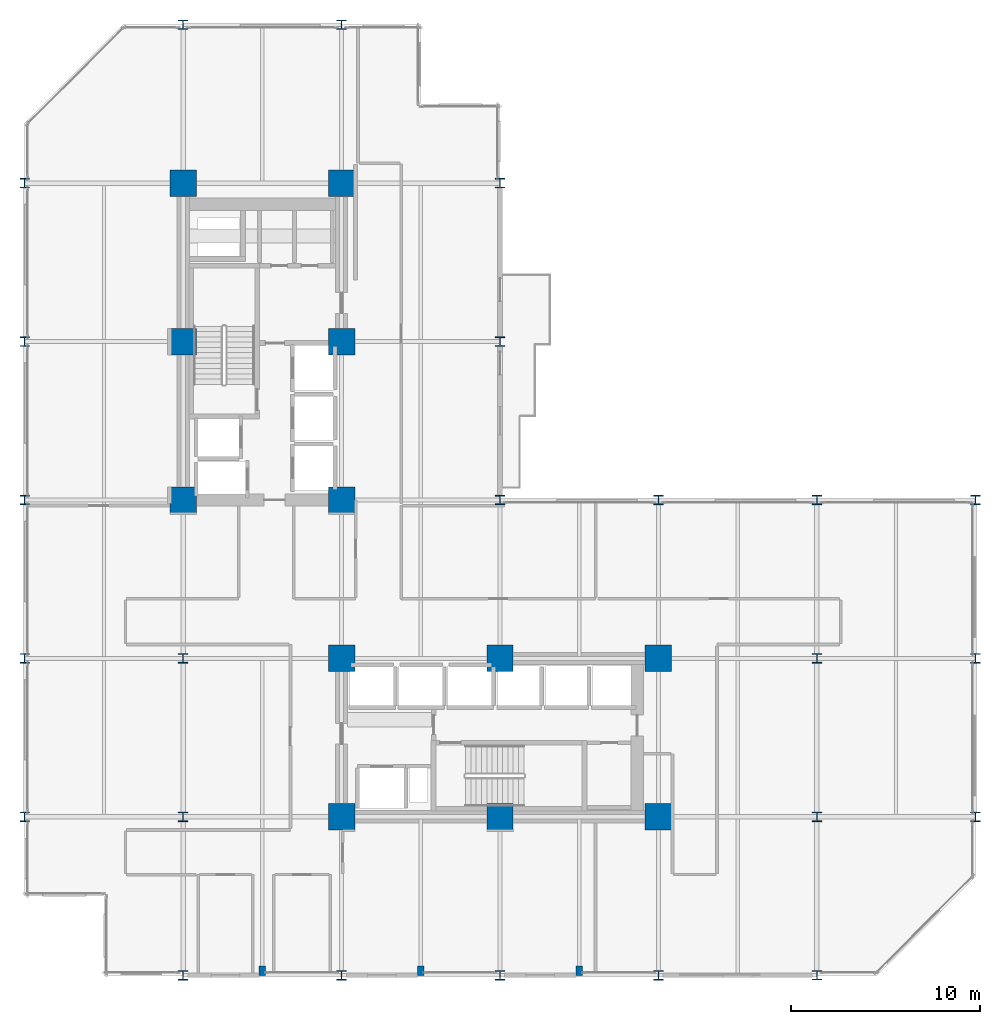
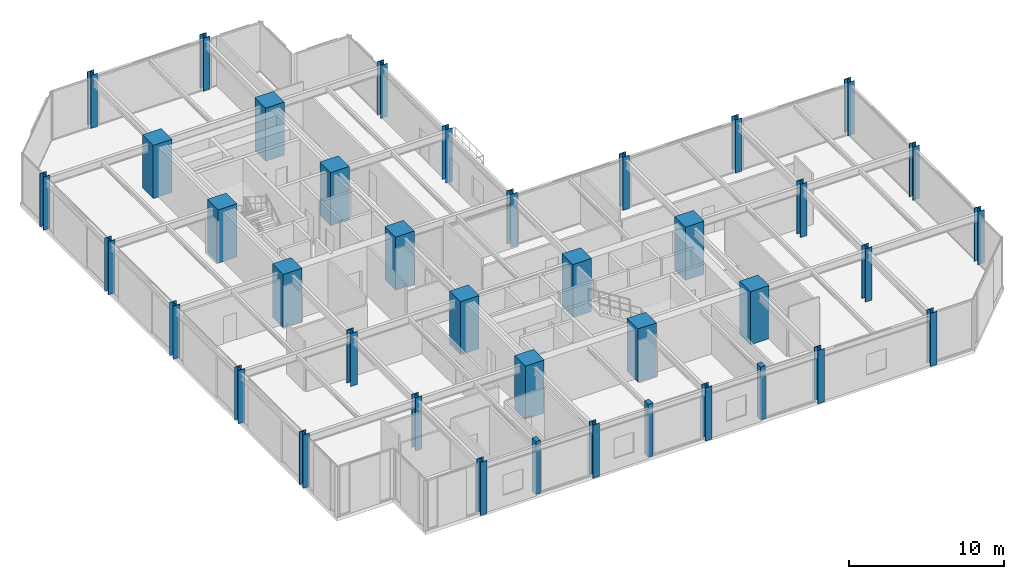
# One storey, part 1 of 24: 39 columns.
"""IFC4 building model written with IfcOpenShell, lengths in metres."""

from ifc_helpers import new_model, si_unit, direction, frame, origin, origin_2d, place, context, subcontext, project, spatial, rectangle, i_section, extrude, material, material_profile, profile_set, type_object, element, save


model = new_model("IFC4")

# Units and contexts
model_context = context("Model", 3, precision=1e-05, world=origin(), true_north=direction((0.0, 1.0)))
body_context = subcontext(model_context, "Body", "Model", "MODEL_VIEW")
ifc_project = project(units=[si_unit("LENGTHUNIT", "METRE"), si_unit("AREAUNIT", "SQUARE_METRE"), si_unit("VOLUMEUNIT", "CUBIC_METRE"), si_unit("PLANEANGLEUNIT", "RADIAN"), si_unit("MASSUNIT", "GRAM", prefix="KILO")], contexts=[model_context])

# Site, building, storey
site_placement = place(None, origin())
site = spatial("IfcSite", under=ifc_project, at=site_placement, CompositionType="ELEMENT")
building_placement = place(site_placement, origin())
building = spatial("IfcBuilding", under=site, at=building_placement, Name="Nerrivon Quay Data Exchange", CompositionType="ELEMENT")
storey_placement = place(building_placement, frame((0.0, 0.0, 45.800048828125)))
storey = spatial("IfcBuildingStorey", under=building, at=storey_placement, Name="L10", CompositionType="ELEMENT", Elevation=45.800048828125)

# Columns
ifc_material_1 = material(Name="Concrete N80 (80 MPa)", Category="concrete")
ifc_material_profile_1 = material_profile(ifc_material_1, rectangle(XDim=1.39990234375, YDim=1.39990234375, at=origin_2d()), Name="RC-COL-1400x1400")
ifc_profile_set_1 = profile_set([ifc_material_profile_1], Name="Concrete N80 (80 MPa)")
column_type_1 = type_object("IfcColumnType", Name="COL-C2-1400", PredefinedType="COLUMN", material=ifc_profile_set_1)
for number, where, z_axis, x_axis, name in (
    (1, (8.39990234375, 25.199951171875, 0.0), (0.0, 0.0, 1.0), (1.0, 0.0, 0.0), "L10 Column (8.4,25.2)"),
    (2, (8.39990234375, 33.60009765625, 0.0), (0.0, 0.0, 1.0), (1.0, 0.0, 0.0), "L10 Column (8.4,33.6)"),
    (3, (8.39990234375, 42.0, 0.0), (0.0, 0.0, 1.0), (1.0, 0.0, 0.0), "L10 Column (8.4,42.0)"),
    (4, (16.800048828125, 8.39990234375, 0.0), (0.0, 0.0, 1.0), (1.0, 0.0, 0.0), "L10 Column (16.8,8.4)"),
    (5, (16.800048828125, 16.800048828125, 0.0), (0.0, 0.0, 1.0), (1.0, 0.0, 0.0), "L10 Column (16.8,16.8)"),
    (6, (16.800048828125, 25.199951171875, 0.0), (0.0, 0.0, 1.0), (1.0, 0.0, 0.0), "L10 Column (16.8,25.2)"),
    (7, (16.800048828125, 33.60009765625, 0.0), (0.0, 0.0, 1.0), (1.0, 0.0, 0.0), "L10 Column (16.8,33.6)"),
    (8, (16.800048828125, 42.0, 0.0), (0.0, 0.0, 1.0), (1.0, 0.0, 0.0), "L10 Column (16.8,42.0)"),
    (9, (25.199951171875, 8.39990234375, 0.0), (0.0, 0.0, 1.0), (1.0, 0.0, 0.0), "L10 Column (25.2,8.4)"),
    (10, (25.199951171875, 16.800048828125, 0.0), (0.0, 0.0, 1.0), (1.0, 0.0, 0.0), "L10 Column (25.2,16.8)"),
    (11, (33.60009765625, 8.39990234375, 0.0), (0.0, 0.0, 1.0), (1.0, 0.0, 0.0), "L10 Column (33.6,8.4)"),
    (12, (33.60009765625, 16.800048828125, 0.0), (0.0, 0.0, 1.0), (1.0, 0.0, 0.0), "L10 Column (33.6,16.8)"),
):
    element("IfcColumn", number, at=place(storey_placement, frame(where, z_axis=z_axis, x_axis=x_axis)), inside=storey, type_object=column_type_1, Name=name, PredefinedType="COLUMN", context=body_context, shape_type="SweptSolid", body=[
        extrude(rectangle(XDim=1.39990234375, YDim=1.39990234375, at=origin_2d()), origin(), (0.0, 0.0, 1.0), 4.199951171875),
    ])
ifc_material_2 = material(Name="Steel Grade 350", Category="steel")
ifc_material_profile_2 = material_profile(ifc_material_2, i_section(OverallWidth=0.5, OverallDepth=0.5, WebThickness=0.028076171875, FlangeThickness=0.0400390625, at=origin_2d()), Name="500WC440")
ifc_profile_set_2 = profile_set([ifc_material_profile_2], Name="Steel Grade 350")
column_type_2 = type_object("IfcColumnType", Name="COL-SC1-500WC", PredefinedType="COLUMN", material=ifc_profile_set_2)
for number, where, z_axis, x_axis, name in (
    (13, (0.0, 8.39990234375, 0.0), (0.0, 0.0, 1.0), (1.0, 0.0, 0.0), "L10 Column (0.0,8.4)"),
    (14, (0.0, 16.800048828125, 0.0), (0.0, 0.0, 1.0), (1.0, 0.0, 0.0), "L10 Column (0.0,16.8)"),
    (15, (0.0, 25.199951171875, 0.0), (0.0, 0.0, 1.0), (1.0, 0.0, 0.0), "L10 Column (0.0,25.2)"),
    (16, (0.0, 33.60009765625, 0.0), (0.0, 0.0, 1.0), (1.0, 0.0, 0.0), "L10 Column (0.0,33.6)"),
    (17, (0.0, 42.0, 0.0), (0.0, 0.0, 1.0), (1.0, 0.0, 0.0), "L10 Column (0.0,42.0)"),
    (18, (8.39990234375, 0.0, 0.0), (0.0, 0.0, 1.0), (1.0, 0.0, 0.0), "L10 Column (8.4,0.0)"),
    (19, (8.39990234375, 8.39990234375, 0.0), (0.0, 0.0, 1.0), (1.0, 0.0, 0.0), "L10 Column (8.4,8.4)"),
    (20, (8.39990234375, 16.800048828125, 0.0), (0.0, 0.0, 1.0), (1.0, 0.0, 0.0), "L10 Column (8.4,16.8)"),
    (21, (8.39990234375, 50.39990234375, 0.0), (0.0, 0.0, 1.0), (1.0, 0.0, 0.0), "L10 Column (8.4,50.4)"),
    (22, (16.800048828125, 0.0, 0.0), (0.0, 0.0, 1.0), (1.0, 0.0, 0.0), "L10 Column (16.8,0.0)"),
    (23, (16.800048828125, 50.39990234375, 0.0), (0.0, 0.0, 1.0), (1.0, 0.0, 0.0), "L10 Column (16.8,50.4)"),
    (24, (25.199951171875, 0.0, 0.0), (0.0, 0.0, 1.0), (1.0, 0.0, 0.0), "L10 Column (25.2,0.0)"),
    (25, (25.199951171875, 25.199951171875, 0.0), (0.0, 0.0, 1.0), (1.0, 0.0, 0.0), "L10 Column (25.2,25.2)"),
    (26, (25.199951171875, 33.60009765625, 0.0), (0.0, 0.0, 1.0), (1.0, 0.0, 0.0), "L10 Column (25.2,33.6)"),
    (27, (25.199951171875, 42.0, 0.0), (0.0, 0.0, 1.0), (1.0, 0.0, 0.0), "L10 Column (25.2,42.0)"),
    (28, (33.60009765625, 0.0, 0.0), (0.0, 0.0, 1.0), (1.0, 0.0, 0.0), "L10 Column (33.6,0.0)"),
    (29, (33.60009765625, 25.199951171875, 0.0), (0.0, 0.0, 1.0), (1.0, 0.0, 0.0), "L10 Column (33.6,25.2)"),
    (30, (42.0, 0.0, 0.0), (0.0, 0.0, 1.0), (1.0, 0.0, 0.0), "L10 Column (42.0,0.0)"),
    (31, (42.0, 8.39990234375, 0.0), (0.0, 0.0, 1.0), (1.0, 0.0, 0.0), "L10 Column (42.0,8.4)"),
    (32, (42.0, 16.800048828125, 0.0), (0.0, 0.0, 1.0), (1.0, 0.0, 0.0), "L10 Column (42.0,16.8)"),
    (33, (42.0, 25.199951171875, 0.0), (0.0, 0.0, 1.0), (1.0, 0.0, 0.0), "L10 Column (42.0,25.2)"),
    (34, (50.39990234375, 8.39990234375, 0.0), (0.0, 0.0, 1.0), (1.0, 0.0, 0.0), "L10 Column (50.4,8.4)"),
    (35, (50.39990234375, 16.800048828125, 0.0), (0.0, 0.0, 1.0), (1.0, 0.0, 0.0), "L10 Column (50.4,16.8)"),
    (36, (50.39990234375, 25.199951171875, 0.0), (0.0, 0.0, 1.0), (1.0, 0.0, 0.0), "L10 Column (50.4,25.2)"),
):
    element("IfcColumn", number, at=place(storey_placement, frame(where, z_axis=z_axis, x_axis=x_axis)), inside=storey, type_object=column_type_2, Name=name, PredefinedType="COLUMN", context=body_context, shape_type="SweptSolid", body=[
        extrude(i_section(OverallWidth=0.5, OverallDepth=0.5, WebThickness=0.028076171875, FlangeThickness=0.0400390625, at=origin_2d()), origin(), (0.0, 0.0, 1.0), 4.199951171875),
    ])
ifc_material_3 = material(Name="Concrete N50 (50 MPa)", Category="concrete")
ifc_material_profile_3 = material_profile(ifc_material_3, rectangle(XDim=0.35009765625, YDim=0.5, at=origin_2d()), Name="RC-PIL-500x350")
ifc_profile_set_3 = profile_set([ifc_material_profile_3], Name="Concrete N50 (50 MPa)")
column_type_3 = type_object("IfcColumnType", Name="PIL-P2-500x350", PredefinedType="PILASTER", material=ifc_profile_set_3)
for number, where, z_axis, x_axis, name in (
    (37, (12.60009765625, 0.25, 0.0), (0.0, 0.0, 1.0), (1.0, 0.0, 0.0), "L10 Facade Pilaster (12.6)"),
    (38, (21.0, 0.25, 0.0), (0.0, 0.0, 1.0), (1.0, 0.0, 0.0), "L10 Facade Pilaster (21.0)"),
    (39, (29.39990234375, 0.25, 0.0), (0.0, 0.0, 1.0), (1.0, 0.0, 0.0), "L10 Facade Pilaster (29.4)"),
):
    element("IfcColumn", number, at=place(storey_placement, frame(where, z_axis=z_axis, x_axis=x_axis)), inside=storey, type_object=column_type_3, Name=name, PredefinedType="PILASTER", context=body_context, shape_type="SweptSolid", body=[
        extrude(rectangle(XDim=0.35009765625, YDim=0.5, at=origin_2d()), origin(), (0.0, 0.0, 1.0), 4.199951171875),
    ])

save(model, "model.ifc")
